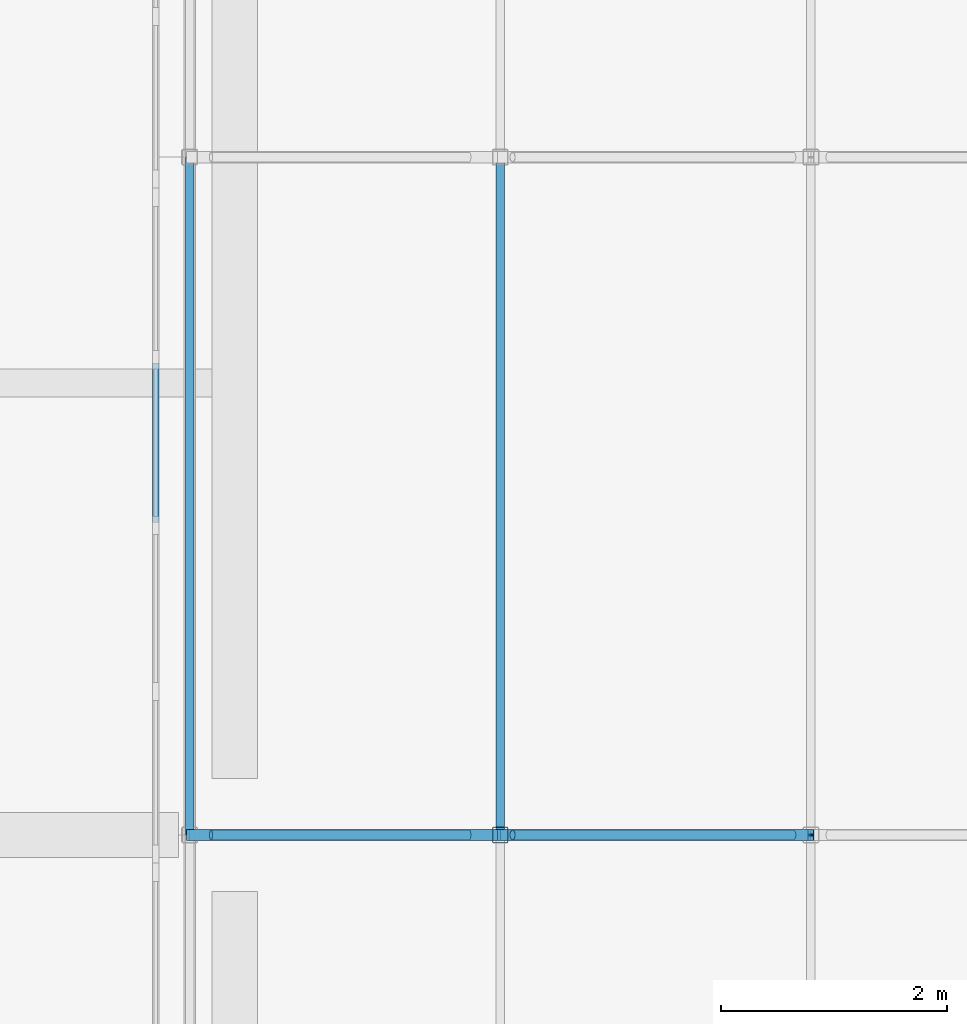
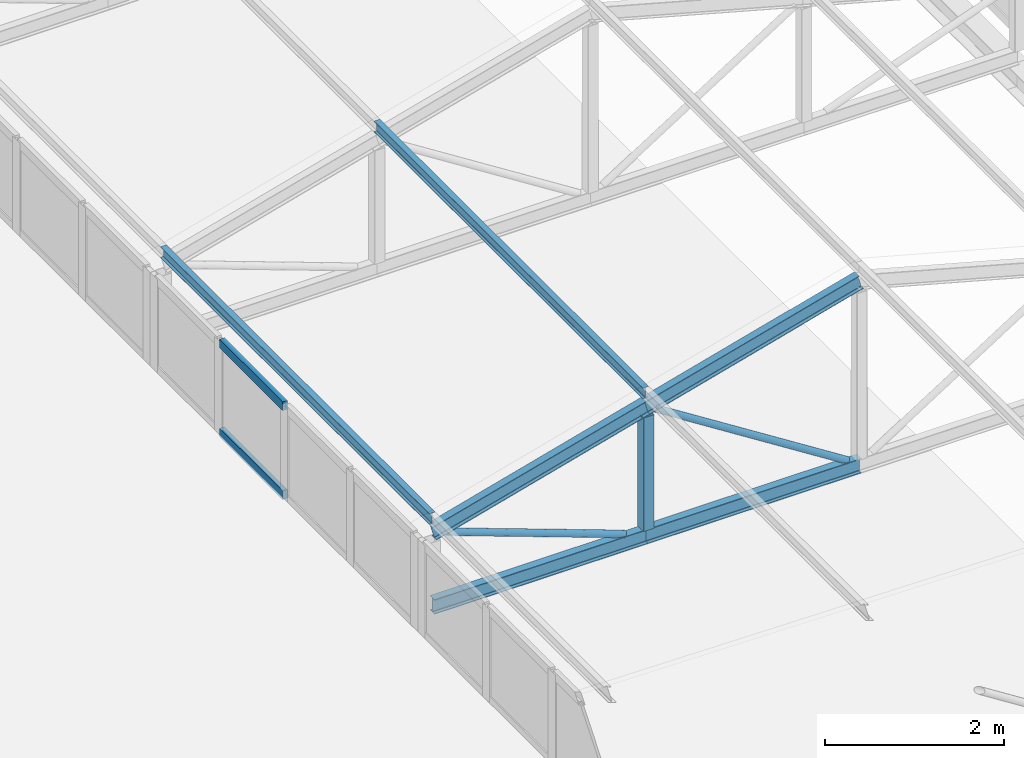
# One storey, part 48 of 94: 11 members, 1 element without a shape of its own.
"""IFC4 building model written with IfcOpenShell, lengths in metres."""

from ifc_helpers import new_model, si_unit, direction, frame, origin, origin_2d, place, context, subcontext, project, spatial, rectangle, hollow_rectangle, hollow_circle, i_section, extrude, material, layer, layer_set, material_profile, profile_set, type_object, element, aggregate, save


model = new_model("IFC4")

# Units and contexts
model_context = context("Model", 3, precision=1e-05, world=origin(), true_north=direction((0.0, 1.0)))
body_context = subcontext(model_context, "Body", "Model", "MODEL_VIEW")
ifc_project = project(units=[si_unit("LENGTHUNIT", "METRE"), si_unit("AREAUNIT", "SQUARE_METRE"), si_unit("VOLUMEUNIT", "CUBIC_METRE"), si_unit("PLANEANGLEUNIT", "RADIAN"), si_unit("MASSUNIT", "GRAM", prefix="KILO")], contexts=[model_context])

# Site, building, storey
site_placement = place(None, origin())
site = spatial("IfcSite", under=ifc_project, at=site_placement, CompositionType="ELEMENT")
building_placement = place(site_placement, origin())
building = spatial("IfcBuilding", under=site, at=building_placement, Name="Lilac Gate Convention Centre", CompositionType="ELEMENT")
storey_placement = place(building_placement, frame((0.0, 0.0, 21.0)))
storey = spatial("IfcBuildingStorey", under=building, at=storey_placement, Name="L04", CompositionType="ELEMENT", Elevation=21.0)

# Curtain wall, members
ifc_material_1 = material(Name="Aluminium framed double glazing", Category="aluminium")
ifc_layer = layer(ifc_material_1, 0.199951171875)
ifc_layer_set = layer_set([ifc_layer], Name="Aluminium framed double glazing")
curtain_wall_type = type_object("IfcCurtainWallType", Name="Unitised curtain wall 1500", PredefinedType="NOTDEFINED", material=ifc_layer_set)
curtain_wall_placement = place(storey_placement, origin())
curtain_wall = element("IfcCurtainWall", 1, at=curtain_wall_placement, inside=storey, type_object=curtain_wall_type, Name="Lantern clerestory W 27", PredefinedType="NOTDEFINED")
ifc_material_2 = material(Name="Aluminium alloy 6063", Category="aluminium")
ifc_material_profile_1 = material_profile(ifc_material_2, rectangle(XDim=0.06005859375, YDim=0.1201171875, at=origin_2d()), Name="Curtain wall transom 60 x 120")
ifc_profile_set_1 = profile_set([ifc_material_profile_1], Name="Aluminium alloy 6063")
member_type_1 = type_object("IfcMemberType", Name="Curtain wall transom 60 x 120", PredefinedType="USERDEFINED", material=ifc_profile_set_1)
member_1_placement = place(storey_placement, frame((17.300048828125, 188.767578125, 0.030029296875), z_axis=(0.0, 1.0, 0.0), x_axis=(-1.0, 0.0, 0.0)))
member_1 = element("IfcMember", 2, at=member_1_placement, type_object=member_type_1, Name="CW transom 3.1", ObjectType="TRANSOM", PredefinedType="USERDEFINED", context=body_context, shape_type="SweptSolid", body=[
    extrude(rectangle(XDim=0.06005859375, YDim=0.1201171875, at=origin_2d()), origin(), (0.0, 0.0, 1.0), 1.40869140625),
])
member_2_placement = place(storey_placement, frame((17.300048828125, 188.767578125, 1.2421875), z_axis=(0.0, 1.0, 0.0), x_axis=(-1.0, 0.0, 0.0)))
member_2 = element("IfcMember", 3, at=member_2_placement, type_object=member_type_1, Name="CW transom 3.2", ObjectType="TRANSOM", PredefinedType="USERDEFINED", context=body_context, shape_type="SweptSolid", body=[
    extrude(rectangle(XDim=0.06005859375, YDim=0.1201171875, at=origin_2d()), origin(), (0.0, 0.0, 1.0), 1.40869140625),
])
aggregate(curtain_wall, [member_1, member_2])

# Members
ifc_material_3 = material(Name="Steel Q355B", Category="steel")
ifc_material_profile_2 = material_profile(ifc_material_3, i_section(OverallWidth=0.10009765625, OverallDepth=0.199951171875, WebThickness=0.005615234375, FlangeThickness=0.008056640625, FilletRadius=0.008056640625, at=origin_2d()), Name="HN200x100x5.5x8")
ifc_profile_set_2 = profile_set([ifc_material_profile_2], Name="Steel Q355B")
member_type_2 = type_object("IfcMemberType", Name="Lantern bottom chord HN200x100x5.5x8", PredefinedType="CHORD", material=ifc_profile_set_2)
for number, where, z_axis, x_axis, name in (
    (4, (17.60009765625, 186.0, 0.10009765625), (1.0, 0.0, 0.0), (0.0, 1.0, 0.0), "LB1 lantern truss 27 bottom chord 1"),
    (5, (20.35009765625, 186.0, 0.10009765625), (1.0, 0.0, 0.0), (0.0, 1.0, 0.0), "LB1 lantern truss 27 bottom chord 2"),
):
    element("IfcMember", number, at=place(storey_placement, frame(where, z_axis=z_axis, x_axis=x_axis)), inside=storey, type_object=member_type_2, Name=name, PredefinedType="CHORD", context=body_context, shape_type="SweptSolid", body=[
        extrude(i_section(OverallWidth=0.10009765625, OverallDepth=0.199951171875, WebThickness=0.005615234375, FlangeThickness=0.008056640625, FilletRadius=0.008056640625, at=origin_2d()), origin(), (0.0, 0.0, 1.0), 2.75),
    ])
ifc_material_profile_3 = material_profile(ifc_material_3, hollow_circle(Radius=0.04443359375, WallThickness=0.0048828125, at=origin_2d()), Name="CHS88.9x5")
ifc_profile_set_3 = profile_set([ifc_material_profile_3], Name="Steel Q355B")
member_type_3 = type_object("IfcMemberType", Name="Lantern diagonal CHS88.9x5", PredefinedType="BRACE", material=ifc_profile_set_3)
member_3_placement = place(storey_placement, frame((17.789794921875, 186.0, 1.031005859375), z_axis=(0.939781696917, 0.0, -0.341775309434), x_axis=(0.0, 1.0, 0.0)))
element("IfcMember", 6, at=member_3_placement, inside=storey, type_object=member_type_3, Name="LW1 lantern truss 27 diagonal 1", PredefinedType="BRACE", context=body_context, shape_type="SweptSolid", body=[
    extrude(hollow_circle(Radius=0.04443359375, WallThickness=0.0048828125, at=origin_2d()), origin(), (0.0, 0.0, 1.0), 2.431640625),
])
member_4_placement = place(storey_placement, frame((20.45849609375, 186.0, 1.781005859375), z_axis=(0.843647832412, 0.0, -0.536896949951), x_axis=(0.0, 1.0, 0.0)))
element("IfcMember", 7, at=member_4_placement, inside=storey, type_object=member_type_3, Name="LW1 lantern truss 27 diagonal 2", PredefinedType="BRACE", context=body_context, shape_type="SweptSolid", body=[
    extrude(hollow_circle(Radius=0.04443359375, WallThickness=0.0048828125, at=origin_2d()), origin(), (0.0, 0.0, 1.0), 2.94482421875),
])
ifc_material_profile_4 = material_profile(ifc_material_3, hollow_rectangle(XDim=0.139892578125, YDim=0.139892578125, WallThickness=0.0048828125, InnerFilletRadius=0.0048828125, OuterFilletRadius=0.010009765625, at=origin_2d()), Name="SHS140x140x5")
ifc_profile_set_4 = profile_set([ifc_material_profile_4], Name="Steel Q355B")
member_type_4 = type_object("IfcMemberType", Name="Lantern post SHS140x140x5", PredefinedType="STRUT", material=ifc_profile_set_4)
member_5_placement = place(storey_placement, frame((20.35009765625, 186.0, 0.199951171875), z_axis=(0.0, 0.0, 1.0), x_axis=(1.0, 0.0, 0.0)))
element("IfcMember", 8, at=member_5_placement, inside=storey, type_object=member_type_4, Name="LV1 lantern truss 27 post 2", PredefinedType="STRUT", context=body_context, shape_type="SweptSolid", body=[
    extrude(hollow_rectangle(XDim=0.139892578125, YDim=0.139892578125, WallThickness=0.0048828125, InnerFilletRadius=0.0048828125, OuterFilletRadius=0.010009765625, at=origin_2d()), origin(), (0.0, 0.0, 1.0), 1.546142578125),
])
ifc_material_profile_5 = material_profile(ifc_material_3, i_section(OverallWidth=0.074951171875, OverallDepth=0.14990234375, WebThickness=0.0048828125, FlangeThickness=0.007080078125, FilletRadius=0.008056640625, at=origin_2d()), Name="HN150x75x5x7")
ifc_profile_set_5 = profile_set([ifc_material_profile_5], Name="Steel Q355B")
member_type_5 = type_object("IfcMemberType", Name="Lantern purlin HN150x75x5x7", PredefinedType="PURLIN", material=ifc_profile_set_5)
for number, where, z_axis, x_axis, name in (
    (9, (17.60009765625, 186.0, 1.279052734375), (0.0, 1.0, 0.0), (-1.0, 0.0, 0.0), "LP1 lantern purlin bay 27 line 1"),
    (10, (20.35009765625, 186.0, 2.029052734375), (0.0, 1.0, 0.0), (-1.0, 0.0, 0.0), "LP1 lantern purlin bay 27 line 2"),
):
    element("IfcMember", number, at=place(storey_placement, frame(where, z_axis=z_axis, x_axis=x_axis)), inside=storey, type_object=member_type_5, Name=name, PredefinedType="PURLIN", context=body_context, shape_type="SweptSolid", body=[
        extrude(i_section(OverallWidth=0.074951171875, OverallDepth=0.14990234375, WebThickness=0.0048828125, FlangeThickness=0.007080078125, FilletRadius=0.008056640625, at=origin_2d()), origin(), (0.0, 0.0, 1.0), 6.0),
    ])
ifc_material_profile_6 = material_profile(ifc_material_3, i_section(OverallWidth=0.10009765625, OverallDepth=0.199951171875, WebThickness=0.005615234375, FlangeThickness=0.008056640625, FilletRadius=0.008056640625, at=origin_2d()), Name="HN200x100x5.5x8")
ifc_profile_set_6 = profile_set([ifc_material_profile_6], Name="Steel Q355B")
member_type_6 = type_object("IfcMemberType", Name="Lantern top chord HN200x100x5.5x8", PredefinedType="CHORD", material=ifc_profile_set_6)
for number, where, z_axis, x_axis, name in (
    (11, (17.60009765625, 186.0, 1.10009765625), (0.964763821238, 0.0, 0.263117405792), (0.0, 1.0, 0.0), "LT1 lantern truss 27 top chord 1"),
    (12, (20.35009765625, 186.0, 1.85009765625), (0.964763821238, 0.0, 0.263117405792), (0.0, 1.0, 0.0), "LT1 lantern truss 27 top chord 2"),
):
    element("IfcMember", number, at=place(storey_placement, frame(where, z_axis=z_axis, x_axis=x_axis)), inside=storey, type_object=member_type_6, Name=name, PredefinedType="CHORD", context=body_context, shape_type="SweptSolid", body=[
        extrude(i_section(OverallWidth=0.10009765625, OverallDepth=0.199951171875, WebThickness=0.005615234375, FlangeThickness=0.008056640625, FilletRadius=0.008056640625, at=origin_2d()), origin(), (0.0, 0.0, 1.0), 2.850341796875),
    ])

save(model, "model.ifc")
